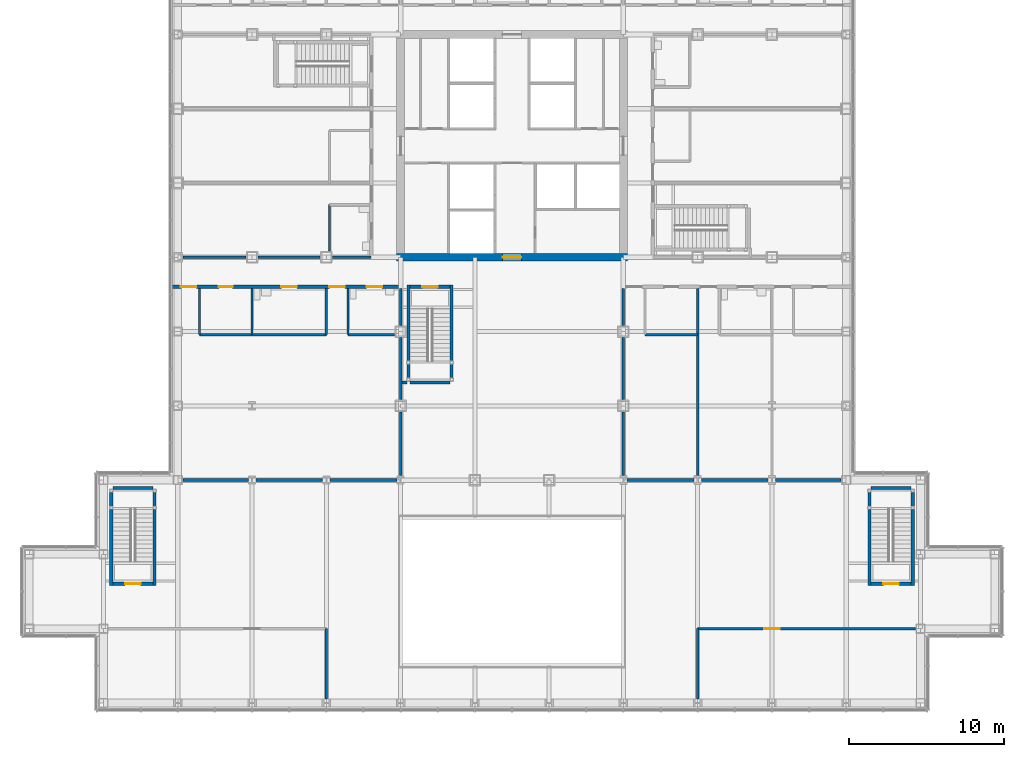
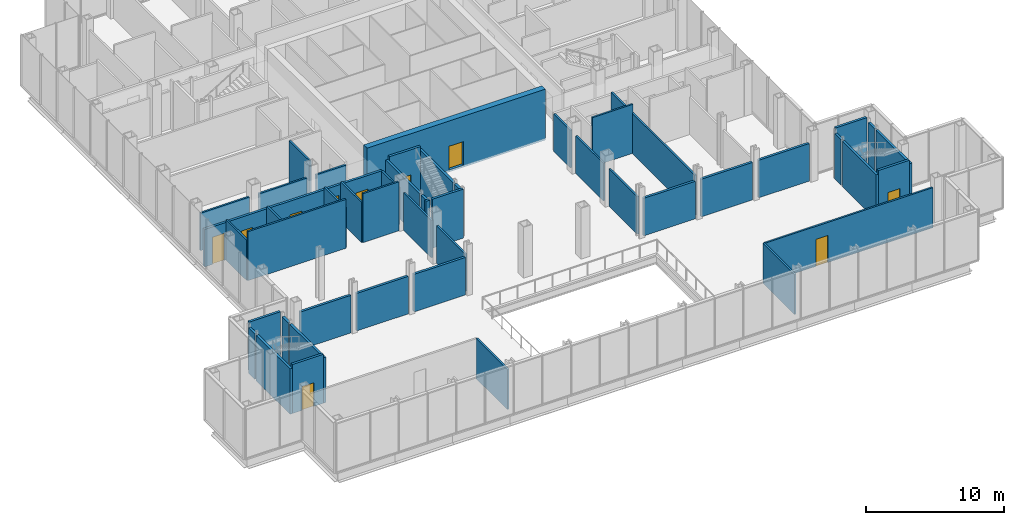
# One storey, part 20 of 26: 48 walls, 10 doors, 10 openings.
"""IFC4 building model written with IfcOpenShell, lengths in metres."""

from ifc_helpers import new_model, si_unit, direction, frame, frame_2d, origin, place, context, subcontext, project, spatial, rectangle, extrude, material, layer, layer_set, type_object, element, fill, save


model = new_model("IFC4")

# Units and contexts
model_context = context("Model", 3, precision=1e-05, world=origin(), true_north=direction((0.0, 1.0)))
body_context = subcontext(model_context, "Body", "Model", "MODEL_VIEW")
ifc_project = project(units=[si_unit("LENGTHUNIT", "METRE"), si_unit("AREAUNIT", "SQUARE_METRE"), si_unit("VOLUMEUNIT", "CUBIC_METRE"), si_unit("PLANEANGLEUNIT", "RADIAN"), si_unit("MASSUNIT", "GRAM", prefix="KILO")], contexts=[model_context])

# Site, building, storey
site_placement = place(None, origin())
site = spatial("IfcSite", under=ifc_project, at=site_placement, CompositionType="ELEMENT")
building_placement = place(site_placement, origin())
building = spatial("IfcBuilding", under=site, at=building_placement, Name="Kvirike Care Tower", CompositionType="ELEMENT")
storey_placement = place(building_placement, frame((0.0, 0.0, 18.0)))
storey = spatial("IfcBuildingStorey", under=building, at=storey_placement, Name="L04", CompositionType="ELEMENT", Elevation=18.0)

# Walls
ifc_material_1 = material(Name="Plasterboard partition", Category="gypsum")
ifc_layer_1 = layer(ifc_material_1, 0.14990234375)
ifc_layer_set_1 = layer_set([ifc_layer_1], Name="CLINIC PARTITION 150")
wall_type_1 = type_object("IfcWallType", Name="CLINIC PARTITION 150", PredefinedType="PARTITIONING", material=ifc_layer_set_1)
for number, where, z_axis, x_axis, name in (
    (1, (9.60009765625, 23.800048828125, 0.0), (0.0, 0.0, 1.0), (0.0, 1.0, 0.0), "Clinic Partition 150 L04"),
    (2, (1.39990234375, 23.800048828125, 0.0), (0.0, 0.0, 1.0), (0.0, 1.0, 0.0), "Clinic Partition 150 L04"),
):
    element("IfcWall", number, at=place(storey_placement, frame(where, z_axis=z_axis, x_axis=x_axis)), inside=storey, type_object=wall_type_1, Name=name, PredefinedType="PARTITIONING", context=body_context, shape_type="SweptSolid", body=[
        extrude(rectangle(XDim=3.0, YDim=0.14990234375, at=frame_2d((1.5, 0.0))), origin(), (0.0, 0.0, 1.0), 3.550048828125),
    ])
wall_1_placement = place(storey_placement, frame((1.39990234375, 23.800048828125, 0.0), z_axis=(0.0, 0.0, 1.0), x_axis=(1.0, 0.0, 0.0)))
element("IfcWall", 3, at=wall_1_placement, inside=storey, type_object=wall_type_1, Name="Clinic Partition 150 L04", PredefinedType="PARTITIONING", context=body_context, shape_type="SweptSolid", body=[
    extrude(rectangle(XDim=8.2001953125, YDim=0.14990234375, at=frame_2d((4.10009765625, 0.0))), origin(), (0.0, 0.0, 1.0), 4.330078125),
])
for number, where, z_axis, x_axis, name in (
    (4, (4.800048828125, 23.800048828125, 0.0), (0.0, 0.0, 1.0), (0.0, 1.0, 0.0), "Clinic Partition 150 L04"),
    (5, (11.0, 23.800048828125, 0.0), (0.0, 0.0, 1.0), (0.0, 1.0, 0.0), "Clinic Partition 150 L04"),
):
    element("IfcWall", number, at=place(storey_placement, frame(where, z_axis=z_axis, x_axis=x_axis)), inside=storey, type_object=wall_type_1, Name=name, PredefinedType="PARTITIONING", context=body_context, shape_type="SweptSolid", body=[
        extrude(rectangle(XDim=3.0, YDim=0.14990234375, at=frame_2d((1.5, 0.0))), origin(), (0.0, 0.0, 1.0), 3.550048828125),
    ])
for number, where, z_axis, x_axis, name in (
    (6, (11.0, 23.800048828125, 0.0), (0.0, 0.0, 1.0), (1.0, 0.0, 0.0), "Clinic Partition 150 L04"),
    (7, (9.800048828125, 32.199951171875, 0.0), (0.0, 0.0, 1.0), (0.0, -1.0, 0.0), "Clinic Partition 150 L04"),
):
    element("IfcWall", number, at=place(storey_placement, frame(where, z_axis=z_axis, x_axis=x_axis)), inside=storey, type_object=wall_type_1, Name=name, PredefinedType="PARTITIONING", context=body_context, shape_type="SweptSolid", body=[
        extrude(rectangle(XDim=3.0048828125, YDim=0.14990234375, at=frame_2d((1.50244140625, 0.0))), origin(), (0.0, 0.0, 1.0), 4.330078125),
    ])
wall_2_placement = place(storey_placement, frame((30.199951171875, 23.800048828125, 0.0), z_axis=(0.0, 0.0, 1.0), x_axis=(1.0, 0.0, 0.0)))
element("IfcWall", 8, at=wall_2_placement, inside=storey, type_object=wall_type_1, Name="Clinic Partition 150 L04", PredefinedType="PARTITIONING", context=body_context, shape_type="SweptSolid", body=[
    extrude(rectangle(XDim=3.400146484375, YDim=0.14990234375, at=frame_2d((1.7001953125, 0.0))), origin(), (0.0, 0.0, 1.0), 4.330078125),
])
wall_3_placement = place(storey_placement, frame((33.60009765625, 14.70458984375, 0.0), z_axis=(0.0, 0.0, 1.0), x_axis=(0.0, 1.0, 0.0)))
element("IfcWall", 9, at=wall_3_placement, inside=storey, type_object=wall_type_1, Name="Clinic Partition 150 L04", PredefinedType="PARTITIONING", context=body_context, shape_type="SweptSolid", body=[
    extrude(rectangle(XDim=12.095458984375, YDim=0.14990234375, at=frame_2d((6.0478515625, 0.0))), origin(), (0.0, 0.0, 1.0), 3.550048828125),
])

# Wall, opening, door
wall_4_placement = place(storey_placement, frame((33.60009765625, 4.800048828125, 0.0), z_axis=(0.0, 0.0, 1.0), x_axis=(1.0, 0.0, 0.0)))
wall_4 = element("IfcWall", 10, at=wall_4_placement, inside=storey, type_object=wall_type_1, Name="Clinic Partition 150 L04", PredefinedType="PARTITIONING", context=body_context, shape_type="SweptSolid", body=[
    extrude(rectangle(XDim=14.079833984375, YDim=0.14990234375, at=frame_2d((7.0400390625, 0.0))), origin(), (0.0, 0.0, 1.0), 3.550048828125),
])
opening_1_placement = place(wall_4_placement, frame((4.300048828125, 0.0, 0.0)))
opening_1 = element("IfcOpeningElement", 11, at=opening_1_placement, cuts=wall_4, Name="Opening 04-046", PredefinedType="OPENING", context=body_context, shape_type="SweptSolid", body=[
    extrude(rectangle(XDim=1.0, YDim=2.39990234375, at=frame_2d((0.5, 1.199951171875))), frame((0.0, 0.08544921875, 0.0), z_axis=(0.0, -1.0, 0.0), x_axis=(1.0, 0.0, 0.0)), (0.0, 0.0, 1.0), 0.1708984375),
])
ifc_material_2 = material(Name="Timber door set", Category="wood")
door_type_1 = type_object("IfcDoorType", Name="CONSULTING ROOM DOOR 1000", OperationType="SINGLE_SWING_LEFT", PredefinedType="DOOR", material=ifc_material_2)
door_1_placement = place(opening_1_placement, frame((1.0, 0.0, 0.0), z_axis=(0.0, 0.0, 1.0), x_axis=(-1.0, 0.0, 0.0)))
door_1 = element("IfcDoor", 12, at=door_1_placement, inside=storey, type_object=door_type_1, Name="Room door", OperationType="SINGLE_SWING_LEFT", OverallHeight=2.39990234375, OverallWidth=1.0, PredefinedType="DOOR", context=body_context, shape_type="SweptSolid", body=[
    extrude(rectangle(XDim=1.0, YDim=2.39990234375, at=frame_2d((0.5, 1.199951171875))), frame((0.0, 0.02685546875, 0.0), z_axis=(0.0, -1.0, 0.0), x_axis=(1.0, 0.0, 0.0)), (0.0, 0.0, 1.0), 0.053955078125),
])
fill(opening_1, door_1)

# Walls
for number, where, z_axis, x_axis, name in (
    (13, (9.60009765625, 0.243896484375, 0.0), (0.0, 0.0, 1.0), (0.0, 1.0, 0.0), "Clinic Partition 150 L04"),
    (14, (33.60009765625, 0.243896484375, 0.0), (0.0, 0.0, 1.0), (0.0, 1.0, 0.0), "Clinic Partition 150 L04"),
):
    element("IfcWall", number, at=place(storey_placement, frame(where, z_axis=z_axis, x_axis=x_axis)), inside=storey, type_object=wall_type_1, Name=name, PredefinedType="PARTITIONING", context=body_context, shape_type="SweptSolid", body=[
        extrude(rectangle(XDim=4.55615234375, YDim=0.14990234375, at=frame_2d((2.278076171875, 0.0))), origin(), (0.0, 0.0, 1.0), 3.550048828125),
    ])
wall_5_placement = place(storey_placement, frame((12.5, 28.800048828125, 0.0), z_axis=(0.0, 0.0, 1.0), x_axis=(-1.0, 0.0, 0.0)))
element("IfcWall", 15, at=wall_5_placement, inside=storey, type_object=wall_type_1, Name="Clinic Partition 150 L04", PredefinedType="PARTITIONING", context=body_context, shape_type="SweptSolid", body=[
    extrude(rectangle(XDim=2.5048828125, YDim=0.14990234375, at=frame_2d((1.25244140625, 0.0))), origin(), (0.0, 0.0, 1.0), 3.320068359375),
])
wall_6_placement = place(storey_placement, frame((9.205078125, 28.800048828125, 0.0), z_axis=(0.0, 0.0, 1.0), x_axis=(-1.0, 0.0, 0.0)))
element("IfcWall", 16, at=wall_6_placement, inside=storey, type_object=wall_type_1, Name="Clinic Partition 150 L04", PredefinedType="PARTITIONING", context=body_context, shape_type="SweptSolid", body=[
    extrude(rectangle(XDim=4.010009765625, YDim=0.14990234375, at=frame_2d((2.0048828125, 0.0))), origin(), (0.0, 0.0, 1.0), 3.320068359375),
])
wall_7_placement = place(storey_placement, frame((4.405029296875, 28.800048828125, 0.0), z_axis=(0.0, 0.0, 1.0), x_axis=(-1.0, 0.0, 0.0)))
element("IfcWall", 17, at=wall_7_placement, inside=storey, type_object=wall_type_1, Name="Clinic Partition 150 L04", PredefinedType="PARTITIONING", context=body_context, shape_type="SweptSolid", body=[
    extrude(rectangle(XDim=4.0849609375, YDim=0.14990234375, at=frame_2d((2.04248046875, 0.0))), origin(), (0.0, 0.0, 1.0), 3.320068359375),
])
wall_8_placement = place(storey_placement, frame((14.39990234375, 14.685546875, 0.0), z_axis=(0.0, 0.0, 1.0), x_axis=(0.0, 1.0, 0.0)))
element("IfcWall", 18, at=wall_8_placement, inside=storey, type_object=wall_type_1, Name="Clinic Partition 150 L04", PredefinedType="PARTITIONING", context=body_context, shape_type="SweptSolid", body=[
    extrude(rectangle(XDim=4.119384765625, YDim=0.14990234375, at=frame_2d((2.0595703125, 0.0))), origin(), (0.0, 0.0, 1.0), 3.320068359375),
])
wall_9_placement = place(storey_placement, frame((14.39990234375, 19.594970703125, 0.0), z_axis=(0.0, 0.0, 1.0), x_axis=(0.0, 1.0, 0.0)))
element("IfcWall", 19, at=wall_9_placement, inside=storey, type_object=wall_type_1, Name="Clinic Partition 150 L04", PredefinedType="PARTITIONING", context=body_context, shape_type="SweptSolid", body=[
    extrude(rectangle(XDim=4.010009765625, YDim=0.14990234375, at=frame_2d((2.0048828125, 0.0))), origin(), (0.0, 0.0, 1.0), 3.320068359375),
])
wall_10_placement = place(storey_placement, frame((14.39990234375, 24.39501953125, 0.0), z_axis=(0.0, 0.0, 1.0), x_axis=(0.0, 1.0, 0.0)))
element("IfcWall", 20, at=wall_10_placement, inside=storey, type_object=wall_type_1, Name="Clinic Partition 150 L04", PredefinedType="PARTITIONING", context=body_context, shape_type="SweptSolid", body=[
    extrude(rectangle(XDim=2.405029296875, YDim=0.14990234375, at=frame_2d((1.20263671875, 0.0))), origin(), (0.0, 0.0, 1.0), 3.320068359375),
])
wall_11_placement = place(storey_placement, frame((28.800048828125, 14.70458984375, 0.0), z_axis=(0.0, 0.0, 1.0), x_axis=(0.0, 1.0, 0.0)))
element("IfcWall", 21, at=wall_11_placement, inside=storey, type_object=wall_type_1, Name="Clinic Partition 150 L04", PredefinedType="PARTITIONING", context=body_context, shape_type="SweptSolid", body=[
    extrude(rectangle(XDim=4.100341796875, YDim=0.14990234375, at=frame_2d((2.05029296875, 0.0))), origin(), (0.0, 0.0, 1.0), 3.320068359375),
])
wall_12_placement = place(storey_placement, frame((28.800048828125, 19.594970703125, 0.0), z_axis=(0.0, 0.0, 1.0), x_axis=(0.0, 1.0, 0.0)))
element("IfcWall", 22, at=wall_12_placement, inside=storey, type_object=wall_type_1, Name="Clinic Partition 150 L04", PredefinedType="PARTITIONING", context=body_context, shape_type="SweptSolid", body=[
    extrude(rectangle(XDim=4.010009765625, YDim=0.14990234375, at=frame_2d((2.0048828125, 0.0))), origin(), (0.0, 0.0, 1.0), 3.320068359375),
])
wall_13_placement = place(storey_placement, frame((28.800048828125, 24.39501953125, 0.0), z_axis=(0.0, 0.0, 1.0), x_axis=(0.0, 1.0, 0.0)))
element("IfcWall", 23, at=wall_13_placement, inside=storey, type_object=wall_type_1, Name="Clinic Partition 150 L04", PredefinedType="PARTITIONING", context=body_context, shape_type="SweptSolid", body=[
    extrude(rectangle(XDim=2.405029296875, YDim=0.14990234375, at=frame_2d((1.20263671875, 0.0))), origin(), (0.0, 0.0, 1.0), 3.320068359375),
])

# Wall, opening, door
ifc_material_3 = material(Name="Concrete C60/75", Category="concrete")
ifc_layer_2 = layer(ifc_material_3, 0.5)
ifc_layer_set_2 = layer_set([ifc_layer_2], Name="CORE WALL 500 C60-75")
wall_type_2 = type_object("IfcWallType", Name="CORE WALL 500 C60-75", PredefinedType="SHEAR", material=ifc_layer_set_2)
wall_14_placement = place(storey_placement, frame((14.14990234375, 28.800048828125, -0.169921875), z_axis=(0.0, 0.0, 1.0), x_axis=(1.0, 0.0, 0.0)))
wall_14 = element("IfcWall", 24, at=wall_14_placement, inside=storey, type_object=wall_type_2, Name="Core wall S L04", PredefinedType="SHEAR", context=body_context, shape_type="SweptSolid", body=[
    extrude(rectangle(XDim=14.900146484375, YDim=0.5, at=frame_2d((7.4501953125, 0.0))), origin(), (0.0, 0.0, 1.0), 4.5),
])
opening_2_placement = place(wall_14_placement, frame((6.85009765625, 0.0, 0.169921875)))
opening_2 = element("IfcOpeningElement", 25, at=opening_2_placement, cuts=wall_14, Name="Opening 04-058", PredefinedType="OPENING", context=body_context, shape_type="SweptSolid", body=[
    extrude(rectangle(XDim=1.199951171875, YDim=2.10009765625, at=frame_2d((0.60009765625, 1.050048828125))), frame((0.0, 0.260498046875, 0.0), z_axis=(0.0, -1.0, 0.0), x_axis=(1.0, 0.0, 0.0)), (0.0, 0.0, 1.0), 0.52099609375),
])
ifc_material_4 = material(Name="Timber door set", Category="wood")
door_type_2 = type_object("IfcDoorType", Name="CORE DOOR 1200", OperationType="SINGLE_SWING_LEFT", PredefinedType="DOOR", material=ifc_material_4)
door_2_placement = place(opening_2_placement, origin())
door_2 = element("IfcDoor", 26, at=door_2_placement, inside=storey, type_object=door_type_2, Name="Core door S L04", OperationType="SINGLE_SWING_LEFT", OverallHeight=2.10009765625, OverallWidth=1.199951171875, PredefinedType="DOOR", context=body_context, shape_type="SweptSolid", body=[
    extrude(rectangle(XDim=1.199951171875, YDim=2.10009765625, at=frame_2d((0.60009765625, 1.050048828125))), frame((0.0, 0.02685546875, 0.0), z_axis=(0.0, -1.0, 0.0), x_axis=(1.0, 0.0, 0.0)), (0.0, 0.0, 1.0), 0.053955078125),
])
fill(opening_2, door_2)

# Wall, openings, doors
ifc_material_5 = material(Name="Plasterboard corridor wall", Category="gypsum")
ifc_layer_3 = layer(ifc_material_5, 0.199951171875)
ifc_layer_set_3 = layer_set([ifc_layer_3], Name="CORRIDOR WALL 200")
wall_type_3 = type_object("IfcWallType", Name="CORRIDOR WALL 200", PredefinedType="PARTITIONING", material=ifc_layer_set_3)
wall_15_placement = place(storey_placement, frame((-0.455078125, 26.89990234375, 0.0), z_axis=(0.0, 0.0, 1.0), x_axis=(1.0, 0.0, 0.0)))
wall_15 = element("IfcWall", 27, at=wall_15_placement, inside=storey, type_object=wall_type_3, Name="Corridor Wall 200 L04", PredefinedType="PARTITIONING", context=body_context, shape_type="SweptSolid", body=[
    extrude(rectangle(XDim=14.85498046875, YDim=0.199951171875, at=frame_2d((7.427490234375, 0.0))), origin(), (0.0, 0.0, 1.0), 3.320068359375),
])
opening_3_placement = place(wall_15_placement, frame((0.655029296875, 0.0, 0.0)))
opening_3 = element("IfcOpeningElement", 28, at=opening_3_placement, cuts=wall_15, Name="Opening 04-001", PredefinedType="OPENING", context=body_context, shape_type="SweptSolid", body=[
    extrude(rectangle(XDim=1.0, YDim=2.39990234375, at=frame_2d((0.5, 1.199951171875))), frame((0.0, 0.110595703125, 0.0), z_axis=(0.0, -1.0, 0.0), x_axis=(1.0, 0.0, 0.0)), (0.0, 0.0, 1.0), 0.220947265625),
])
opening_4_placement = place(wall_15_placement, frame((10.2548828125, 0.0, 0.0)))
opening_4 = element("IfcOpeningElement", 29, at=opening_4_placement, cuts=wall_15, Name="Opening 04-002", PredefinedType="OPENING", context=body_context, shape_type="SweptSolid", body=[
    extrude(rectangle(XDim=1.0, YDim=2.39990234375, at=frame_2d((0.5, 1.199951171875))), frame((0.0, 0.110595703125, 0.0), z_axis=(0.0, -1.0, 0.0), x_axis=(1.0, 0.0, 0.0)), (0.0, 0.0, 1.0), 0.220947265625),
])
opening_5_placement = place(wall_15_placement, frame((3.10498046875, 0.0, 0.0)))
opening_5 = element("IfcOpeningElement", 30, at=opening_5_placement, cuts=wall_15, Name="Opening 04-003", PredefinedType="OPENING", context=body_context, shape_type="SweptSolid", body=[
    extrude(rectangle(XDim=0.89990234375, YDim=2.10009765625, at=frame_2d((0.449951171875, 1.050048828125))), frame((0.0, 0.110595703125, 0.0), z_axis=(0.0, -1.0, 0.0), x_axis=(1.0, 0.0, 0.0)), (0.0, 0.0, 1.0), 0.220947265625),
])
opening_6_placement = place(wall_15_placement, frame((7.155029296875, 0.0, 0.0)))
opening_6 = element("IfcOpeningElement", 31, at=opening_6_placement, cuts=wall_15, Name="Opening 04-004", PredefinedType="OPENING", context=body_context, shape_type="SweptSolid", body=[
    extrude(rectangle(XDim=1.0, YDim=2.10009765625, at=frame_2d((0.5, 1.050048828125))), frame((0.0, 0.110595703125, 0.0), z_axis=(0.0, -1.0, 0.0), x_axis=(1.0, 0.0, 0.0)), (0.0, 0.0, 1.0), 0.220947265625),
])
opening_7_placement = place(wall_15_placement, frame((12.655029296875, 0.0, 0.0)))
opening_7 = element("IfcOpeningElement", 32, at=opening_7_placement, cuts=wall_15, Name="Opening 04-005", PredefinedType="OPENING", context=body_context, shape_type="SweptSolid", body=[
    extrude(rectangle(XDim=1.0, YDim=2.10009765625, at=frame_2d((0.5, 1.050048828125))), frame((0.0, 0.110595703125, 0.0), z_axis=(0.0, -1.0, 0.0), x_axis=(1.0, 0.0, 0.0)), (0.0, 0.0, 1.0), 0.220947265625),
])
door_3_placement = place(opening_3_placement, frame((1.0, 0.0, 0.0), z_axis=(0.0, 0.0, 1.0), x_axis=(-1.0, 0.0, 0.0)))
door_3 = element("IfcDoor", 33, at=door_3_placement, inside=storey, type_object=door_type_1, Name="Day centre lounge door", OperationType="SINGLE_SWING_RIGHT", OverallHeight=2.39990234375, OverallWidth=1.0, PredefinedType="DOOR", context=body_context, shape_type="SweptSolid", body=[
    extrude(rectangle(XDim=1.0, YDim=2.39990234375, at=frame_2d((0.5, 1.199951171875))), frame((0.0, 0.02685546875, 0.0), z_axis=(0.0, -1.0, 0.0), x_axis=(1.0, 0.0, 0.0)), (0.0, 0.0, 1.0), 0.053955078125),
])
fill(opening_3, door_3)
door_4_placement = place(opening_4_placement, frame((1.0, 0.0, 0.0), z_axis=(0.0, 0.0, 1.0), x_axis=(-1.0, 0.0, 0.0)))
door_4 = element("IfcDoor", 34, at=door_4_placement, inside=storey, type_object=door_type_1, Name="Day centre lounge door", OperationType="SINGLE_SWING_RIGHT", OverallHeight=2.39990234375, OverallWidth=1.0, PredefinedType="DOOR", context=body_context, shape_type="SweptSolid", body=[
    extrude(rectangle(XDim=1.0, YDim=2.39990234375, at=frame_2d((0.5, 1.199951171875))), frame((0.0, 0.02685546875, 0.0), z_axis=(0.0, -1.0, 0.0), x_axis=(1.0, 0.0, 0.0)), (0.0, 0.0, 1.0), 0.053955078125),
])
fill(opening_4, door_4)
ifc_material_6 = material(Name="Timber door set", Category="wood")
door_type_3 = type_object("IfcDoorType", Name="STORE DOOR 900", OperationType="SINGLE_SWING_LEFT", PredefinedType="DOOR", material=ifc_material_6)
door_5_placement = place(opening_5_placement, frame((0.89990234375, 0.0, 0.0), z_axis=(0.0, 0.0, 1.0), x_axis=(-1.0, 0.0, 0.0)))
door_5 = element("IfcDoor", 35, at=door_5_placement, inside=storey, type_object=door_type_3, Name="Store door", OperationType="SINGLE_SWING_RIGHT", OverallHeight=2.10009765625, OverallWidth=0.89990234375, PredefinedType="DOOR", context=body_context, shape_type="SweptSolid", body=[
    extrude(rectangle(XDim=0.89990234375, YDim=2.10009765625, at=frame_2d((0.449951171875, 1.050048828125))), frame((0.0, 0.02685546875, 0.0), z_axis=(0.0, -1.0, 0.0), x_axis=(1.0, 0.0, 0.0)), (0.0, 0.0, 1.0), 0.053955078125),
])
fill(opening_5, door_5)
ifc_material_7 = material(Name="Timber door set", Category="wood")
door_type_4 = type_object("IfcDoorType", Name="WC DOOR 1000", OperationType="SINGLE_SWING_LEFT", PredefinedType="DOOR", material=ifc_material_7)
door_6_placement = place(opening_6_placement, frame((1.0, 0.0, 0.0), z_axis=(0.0, 0.0, 1.0), x_axis=(-1.0, 0.0, 0.0)))
door_6 = element("IfcDoor", 36, at=door_6_placement, inside=storey, type_object=door_type_4, Name="Accessible WC door", OperationType="SINGLE_SWING_RIGHT", OverallHeight=2.10009765625, OverallWidth=1.0, PredefinedType="DOOR", context=body_context, shape_type="SweptSolid", body=[
    extrude(rectangle(XDim=1.0, YDim=2.10009765625, at=frame_2d((0.5, 1.050048828125))), frame((0.0, 0.02685546875, 0.0), z_axis=(0.0, -1.0, 0.0), x_axis=(1.0, 0.0, 0.0)), (0.0, 0.0, 1.0), 0.053955078125),
])
fill(opening_6, door_6)
door_7_placement = place(opening_7_placement, frame((1.0, 0.0, 0.0), z_axis=(0.0, 0.0, 1.0), x_axis=(-1.0, 0.0, 0.0)))
door_7 = element("IfcDoor", 37, at=door_7_placement, inside=storey, type_object=door_type_4, Name="Staff WC door", OperationType="SINGLE_SWING_LEFT", OverallHeight=2.10009765625, OverallWidth=1.0, PredefinedType="DOOR", context=body_context, shape_type="SweptSolid", body=[
    extrude(rectangle(XDim=1.0, YDim=2.10009765625, at=frame_2d((0.5, 1.050048828125))), frame((0.0, 0.02685546875, 0.0), z_axis=(0.0, -1.0, 0.0), x_axis=(1.0, 0.0, 0.0)), (0.0, 0.0, 1.0), 0.053955078125),
])
fill(opening_7, door_7)

# Walls
ifc_material_8 = material(Name="Plasterboard party wall", Category="gypsum")
ifc_layer_4 = layer(ifc_material_8, 0.199951171875)
ifc_layer_set_4 = layer_set([ifc_layer_4], Name="PARTY WALL 200")
wall_type_4 = type_object("IfcWallType", Name="PARTY WALL 200", PredefinedType="PARTITIONING", material=ifc_layer_set_4)
wall_16_placement = place(storey_placement, frame((0.320068359375, 14.39990234375, 0.0), z_axis=(0.0, 0.0, 1.0), x_axis=(1.0, 0.0, 0.0)))
element("IfcWall", 38, at=wall_16_placement, inside=storey, type_object=wall_type_4, Name="Party Wall 200 L04", PredefinedType="PARTITIONING", context=body_context, shape_type="SweptSolid", body=[
    extrude(rectangle(XDim=4.239013671875, YDim=0.199951171875, at=frame_2d((2.11962890625, 0.0))), origin(), (0.0, 0.0, 1.0), 3.320068359375),
])
for number, where, z_axis, x_axis, name in (
    (39, (5.041015625, 14.39990234375, 0.0), (0.0, 0.0, 1.0), (1.0, 0.0, 0.0), "Party Wall 200 L04"),
    (40, (9.841064453125, 14.39990234375, 0.0), (0.0, 0.0, 1.0), (1.0, 0.0, 0.0), "Party Wall 200 L04"),
):
    element("IfcWall", number, at=place(storey_placement, frame(where, z_axis=z_axis, x_axis=x_axis)), inside=storey, type_object=wall_type_4, Name=name, PredefinedType="PARTITIONING", context=body_context, shape_type="SweptSolid", body=[
        extrude(rectangle(XDim=4.31787109375, YDim=0.199951171875, at=frame_2d((2.158935546875, 0.0))), origin(), (0.0, 0.0, 1.0), 3.320068359375),
    ])
wall_17_placement = place(storey_placement, frame((29.047119140625, 14.39990234375, 0.0), z_axis=(0.0, 0.0, 1.0), x_axis=(1.0, 0.0, 0.0)))
element("IfcWall", 41, at=wall_17_placement, inside=storey, type_object=wall_type_4, Name="Party Wall 200 L04", PredefinedType="PARTITIONING", context=body_context, shape_type="SweptSolid", body=[
    extrude(rectangle(XDim=4.305908203125, YDim=0.199951171875, at=frame_2d((2.15283203125, 0.0))), origin(), (0.0, 0.0, 1.0), 3.320068359375),
])
wall_18_placement = place(storey_placement, frame((33.846923828125, 14.39990234375, 0.0), z_axis=(0.0, 0.0, 1.0), x_axis=(1.0, 0.0, 0.0)))
element("IfcWall", 42, at=wall_18_placement, inside=storey, type_object=wall_type_4, Name="Party Wall 200 L04", PredefinedType="PARTITIONING", context=body_context, shape_type="SweptSolid", body=[
    extrude(rectangle(XDim=4.30615234375, YDim=0.199951171875, at=frame_2d((2.153076171875, 0.0))), origin(), (0.0, 0.0, 1.0), 3.320068359375),
])
wall_19_placement = place(storey_placement, frame((38.64697265625, 14.39990234375, 0.0), z_axis=(0.0, 0.0, 1.0), x_axis=(1.0, 0.0, 0.0)))
element("IfcWall", 43, at=wall_19_placement, inside=storey, type_object=wall_type_4, Name="Party Wall 200 L04", PredefinedType="PARTITIONING", context=body_context, shape_type="SweptSolid", body=[
    extrude(rectangle(XDim=4.23291015625, YDim=0.199951171875, at=frame_2d((2.116455078125, 0.0))), origin(), (0.0, 0.0, 1.0), 3.320068359375),
])
ifc_material_9 = material(Name="Concrete C40/50", Category="concrete")
ifc_layer_5 = layer(ifc_material_9, 0.199951171875)
ifc_layer_set_5 = layer_set([ifc_layer_5], Name="STAIR WALL 200")
wall_type_5 = type_object("IfcWallType", Name="STAIR WALL 200", PredefinedType="SOLIDWALL", material=ifc_layer_set_5)
wall_20_placement = place(storey_placement, frame((14.89990234375, 21.0, 0.0), z_axis=(0.0, 0.0, 1.0), x_axis=(0.0, 1.0, 0.0)))
element("IfcWall", 44, at=wall_20_placement, inside=storey, type_object=wall_type_5, Name="Stair Wall 200 L04", PredefinedType="SOLIDWALL", context=body_context, shape_type="SweptSolid", body=[
    extrude(rectangle(XDim=0.89990234375, YDim=0.199951171875, at=frame_2d((0.449951171875, 0.0))), origin(), (0.0, 0.0, 1.0), 3.989990234375),
])
wall_21_placement = place(storey_placement, frame((14.89990234375, 22.10009765625, 0.0), z_axis=(0.0, 0.0, 1.0), x_axis=(0.0, 1.0, 0.0)))
element("IfcWall", 45, at=wall_21_placement, inside=storey, type_object=wall_type_5, Name="Stair Wall 200 L04", PredefinedType="SOLIDWALL", context=body_context, shape_type="SweptSolid", body=[
    extrude(rectangle(XDim=4.89990234375, YDim=0.199951171875, at=frame_2d((2.449951171875, 0.0))), origin(), (0.0, 0.0, 1.0), 3.989990234375),
])
wall_22_placement = place(storey_placement, frame((17.699951171875, 21.0, 0.0), z_axis=(0.0, 0.0, 1.0), x_axis=(0.0, 1.0, 0.0)))
element("IfcWall", 46, at=wall_22_placement, inside=storey, type_object=wall_type_5, Name="Stair Wall 200 L04", PredefinedType="SOLIDWALL", context=body_context, shape_type="SweptSolid", body=[
    extrude(rectangle(XDim=0.89990234375, YDim=0.199951171875, at=frame_2d((0.449951171875, 0.0))), origin(), (0.0, 0.0, 1.0), 3.989990234375),
])
wall_23_placement = place(storey_placement, frame((17.699951171875, 22.10009765625, 0.0), z_axis=(0.0, 0.0, 1.0), x_axis=(0.0, 1.0, 0.0)))
element("IfcWall", 47, at=wall_23_placement, inside=storey, type_object=wall_type_5, Name="Stair Wall 200 L04", PredefinedType="SOLIDWALL", context=body_context, shape_type="SweptSolid", body=[
    extrude(rectangle(XDim=4.89990234375, YDim=0.199951171875, at=frame_2d((2.449951171875, 0.0))), origin(), (0.0, 0.0, 1.0), 3.989990234375),
])
wall_24_placement = place(storey_placement, frame((14.47509765625, 20.699951171875, 0.0), z_axis=(0.0, 0.0, 1.0), x_axis=(1.0, 0.0, 0.0)))
element("IfcWall", 48, at=wall_24_placement, inside=storey, type_object=wall_type_5, Name="Stair Wall 200 L04", PredefinedType="SOLIDWALL", context=body_context, shape_type="SweptSolid", body=[
    extrude(rectangle(XDim=0.324951171875, YDim=0.199951171875, at=frame_2d((0.16259765625, 0.0))), origin(), (0.0, 0.0, 1.0), 4.330078125),
])
wall_25_placement = place(storey_placement, frame((15.0, 20.699951171875, 0.0), z_axis=(0.0, 0.0, 1.0), x_axis=(1.0, 0.0, 0.0)))
element("IfcWall", 49, at=wall_25_placement, inside=storey, type_object=wall_type_5, Name="Stair Wall 200 L04", PredefinedType="SOLIDWALL", context=body_context, shape_type="SweptSolid", body=[
    extrude(rectangle(XDim=2.60009765625, YDim=0.199951171875, at=frame_2d((1.300048828125, 0.0))), origin(), (0.0, 0.0, 1.0), 4.330078125),
])

# Wall, opening, door
wall_26_placement = place(storey_placement, frame((15.0, 26.89990234375, 0.0), z_axis=(0.0, 0.0, 1.0), x_axis=(1.0, 0.0, 0.0)))
wall_26 = element("IfcWall", 50, at=wall_26_placement, inside=storey, type_object=wall_type_5, Name="Stair Wall 200 L04", PredefinedType="SOLIDWALL", context=body_context, shape_type="SweptSolid", body=[
    extrude(rectangle(XDim=2.60009765625, YDim=0.199951171875, at=frame_2d((1.300048828125, 0.0))), origin(), (0.0, 0.0, 1.0), 4.330078125),
])
opening_8_placement = place(wall_26_placement, frame((0.800048828125, 0.0, 0.0)))
opening_8 = element("IfcOpeningElement", 51, at=opening_8_placement, cuts=wall_26, Name="Opening 04-018", PredefinedType="OPENING", context=body_context, shape_type="SweptSolid", body=[
    extrude(rectangle(XDim=1.0, YDim=2.10009765625, at=frame_2d((0.5, 1.050048828125))), frame((0.0, 0.110595703125, 0.0), z_axis=(0.0, -1.0, 0.0), x_axis=(1.0, 0.0, 0.0)), (0.0, 0.0, 1.0), 0.220947265625),
])
ifc_material_10 = material(Name="Timber door set", Category="wood")
door_type_5 = type_object("IfcDoorType", Name="STAIR DOOR 1000", OperationType="SINGLE_SWING_LEFT", PredefinedType="DOOR", material=ifc_material_10)
door_8_placement = place(opening_8_placement, frame((1.0, 0.0, 0.0), z_axis=(0.0, 0.0, 1.0), x_axis=(-1.0, 0.0, 0.0)))
door_8 = element("IfcDoor", 52, at=door_8_placement, inside=storey, type_object=door_type_5, Name="Stair 5 door", OperationType="SINGLE_SWING_RIGHT", OverallHeight=2.10009765625, OverallWidth=1.0, PredefinedType="DOOR", context=body_context, shape_type="SweptSolid", body=[
    extrude(rectangle(XDim=1.0, YDim=2.10009765625, at=frame_2d((0.5, 1.050048828125))), frame((0.0, 0.031982421875, 0.0), z_axis=(0.0, -1.0, 0.0), x_axis=(1.0, 0.0, 0.0)), (0.0, 0.0, 1.0), 0.06396484375),
])
fill(opening_8, door_8)

# Walls
wall_27_placement = place(storey_placement, frame((-4.300048828125, 13.60009765625, 0.0), z_axis=(0.0, 0.0, 1.0), x_axis=(0.0, -1.0, 0.0)))
element("IfcWall", 53, at=wall_27_placement, inside=storey, type_object=wall_type_5, Name="Stair Wall 200 L04", PredefinedType="SOLIDWALL", context=body_context, shape_type="SweptSolid", body=[
    extrude(rectangle(XDim=0.900146484375, YDim=0.199951171875, at=frame_2d((0.4501953125, 0.0))), origin(), (0.0, 0.0, 1.0), 4.02001953125),
])
wall_28_placement = place(storey_placement, frame((-4.300048828125, 12.5, 0.0), z_axis=(0.0, 0.0, 1.0), x_axis=(0.0, -1.0, 0.0)))
element("IfcWall", 54, at=wall_28_placement, inside=storey, type_object=wall_type_5, Name="Stair Wall 200 L04", PredefinedType="SOLIDWALL", context=body_context, shape_type="SweptSolid", body=[
    extrude(rectangle(XDim=4.89990234375, YDim=0.199951171875, at=frame_2d((2.449951171875, 0.0))), origin(), (0.0, 0.0, 1.0), 4.02001953125),
])
wall_29_placement = place(storey_placement, frame((-1.5, 13.60009765625, 0.0), z_axis=(0.0, 0.0, 1.0), x_axis=(0.0, -1.0, 0.0)))
element("IfcWall", 55, at=wall_29_placement, inside=storey, type_object=wall_type_5, Name="Stair Wall 200 L04", PredefinedType="SOLIDWALL", context=body_context, shape_type="SweptSolid", body=[
    extrude(rectangle(XDim=0.900146484375, YDim=0.199951171875, at=frame_2d((0.4501953125, 0.0))), origin(), (0.0, 0.0, 1.0), 4.02001953125),
])
wall_30_placement = place(storey_placement, frame((-1.5, 12.5, 0.0), z_axis=(0.0, 0.0, 1.0), x_axis=(0.0, -1.0, 0.0)))
element("IfcWall", 56, at=wall_30_placement, inside=storey, type_object=wall_type_5, Name="Stair Wall 200 L04", PredefinedType="SOLIDWALL", context=body_context, shape_type="SweptSolid", body=[
    extrude(rectangle(XDim=4.89990234375, YDim=0.199951171875, at=frame_2d((2.449951171875, 0.0))), origin(), (0.0, 0.0, 1.0), 4.02001953125),
])
wall_31_placement = place(storey_placement, frame((-4.199951171875, 13.89990234375, 0.0), z_axis=(0.0, 0.0, 1.0), x_axis=(1.0, 0.0, 0.0)))
element("IfcWall", 57, at=wall_31_placement, inside=storey, type_object=wall_type_5, Name="Stair Wall 200 L04", PredefinedType="SOLIDWALL", context=body_context, shape_type="SweptSolid", body=[
    extrude(rectangle(XDim=2.599853515625, YDim=0.199951171875, at=frame_2d((1.2998046875, 0.0))), origin(), (0.0, 0.0, 1.0), 4.330078125),
])

# Wall, opening, door
wall_32_placement = place(storey_placement, frame((-4.199951171875, 7.699951171875, 0.0), z_axis=(0.0, 0.0, 1.0), x_axis=(1.0, 0.0, 0.0)))
wall_32 = element("IfcWall", 58, at=wall_32_placement, inside=storey, type_object=wall_type_5, Name="Stair Wall 200 L04", PredefinedType="SOLIDWALL", context=body_context, shape_type="SweptSolid", body=[
    extrude(rectangle(XDim=2.599853515625, YDim=0.199951171875, at=frame_2d((1.2998046875, 0.0))), origin(), (0.0, 0.0, 1.0), 4.330078125),
])
opening_9_placement = place(wall_32_placement, frame((0.800048828125, 0.0, 0.0)))
opening_9 = element("IfcOpeningElement", 59, at=opening_9_placement, cuts=wall_32, Name="Opening 04-043", PredefinedType="OPENING", context=body_context, shape_type="SweptSolid", body=[
    extrude(rectangle(XDim=1.0, YDim=2.10009765625, at=frame_2d((0.5, 1.050048828125))), frame((0.0, 0.110595703125, 0.0), z_axis=(0.0, -1.0, 0.0), x_axis=(1.0, 0.0, 0.0)), (0.0, 0.0, 1.0), 0.220947265625),
])
door_9_placement = place(opening_9_placement, origin())
door_9 = element("IfcDoor", 60, at=door_9_placement, inside=storey, type_object=door_type_5, Name="Stair 3 door", OperationType="SINGLE_SWING_LEFT", OverallHeight=2.10009765625, OverallWidth=1.0, PredefinedType="DOOR", context=body_context, shape_type="SweptSolid", body=[
    extrude(rectangle(XDim=1.0, YDim=2.10009765625, at=frame_2d((0.5, 1.050048828125))), frame((0.0, 0.031982421875, 0.0), z_axis=(0.0, -1.0, 0.0), x_axis=(1.0, 0.0, 0.0)), (0.0, 0.0, 1.0), 0.06396484375),
])
fill(opening_9, door_9)

# Walls
wall_33_placement = place(storey_placement, frame((44.699951171875, 13.60009765625, 0.0), z_axis=(0.0, 0.0, 1.0), x_axis=(0.0, -1.0, 0.0)))
element("IfcWall", 61, at=wall_33_placement, inside=storey, type_object=wall_type_5, Name="Stair Wall 200 L04", PredefinedType="SOLIDWALL", context=body_context, shape_type="SweptSolid", body=[
    extrude(rectangle(XDim=0.900146484375, YDim=0.199951171875, at=frame_2d((0.4501953125, 0.0))), origin(), (0.0, 0.0, 1.0), 4.02001953125),
])
wall_34_placement = place(storey_placement, frame((44.699951171875, 12.5, 0.0), z_axis=(0.0, 0.0, 1.0), x_axis=(0.0, -1.0, 0.0)))
element("IfcWall", 62, at=wall_34_placement, inside=storey, type_object=wall_type_5, Name="Stair Wall 200 L04", PredefinedType="SOLIDWALL", context=body_context, shape_type="SweptSolid", body=[
    extrude(rectangle(XDim=4.89990234375, YDim=0.199951171875, at=frame_2d((2.449951171875, 0.0))), origin(), (0.0, 0.0, 1.0), 4.02001953125),
])
wall_35_placement = place(storey_placement, frame((47.5, 13.60009765625, 0.0), z_axis=(0.0, 0.0, 1.0), x_axis=(0.0, -1.0, 0.0)))
element("IfcWall", 63, at=wall_35_placement, inside=storey, type_object=wall_type_5, Name="Stair Wall 200 L04", PredefinedType="SOLIDWALL", context=body_context, shape_type="SweptSolid", body=[
    extrude(rectangle(XDim=0.900146484375, YDim=0.199951171875, at=frame_2d((0.4501953125, 0.0))), origin(), (0.0, 0.0, 1.0), 4.02001953125),
])
wall_36_placement = place(storey_placement, frame((47.5, 12.5, 0.0), z_axis=(0.0, 0.0, 1.0), x_axis=(0.0, -1.0, 0.0)))
element("IfcWall", 64, at=wall_36_placement, inside=storey, type_object=wall_type_5, Name="Stair Wall 200 L04", PredefinedType="SOLIDWALL", context=body_context, shape_type="SweptSolid", body=[
    extrude(rectangle(XDim=4.89990234375, YDim=0.199951171875, at=frame_2d((2.449951171875, 0.0))), origin(), (0.0, 0.0, 1.0), 4.02001953125),
])
wall_37_placement = place(storey_placement, frame((44.800048828125, 13.89990234375, 0.0), z_axis=(0.0, 0.0, 1.0), x_axis=(1.0, 0.0, 0.0)))
element("IfcWall", 65, at=wall_37_placement, inside=storey, type_object=wall_type_5, Name="Stair Wall 200 L04", PredefinedType="SOLIDWALL", context=body_context, shape_type="SweptSolid", body=[
    extrude(rectangle(XDim=2.599853515625, YDim=0.199951171875, at=frame_2d((1.2998046875, 0.0))), origin(), (0.0, 0.0, 1.0), 4.330078125),
])

# Wall, opening, door
wall_38_placement = place(storey_placement, frame((44.800048828125, 7.699951171875, 0.0), z_axis=(0.0, 0.0, 1.0), x_axis=(1.0, 0.0, 0.0)))
wall_38 = element("IfcWall", 66, at=wall_38_placement, inside=storey, type_object=wall_type_5, Name="Stair Wall 200 L04", PredefinedType="SOLIDWALL", context=body_context, shape_type="SweptSolid", body=[
    extrude(rectangle(XDim=2.599853515625, YDim=0.199951171875, at=frame_2d((1.2998046875, 0.0))), origin(), (0.0, 0.0, 1.0), 4.330078125),
])
opening_10_placement = place(wall_38_placement, frame((0.800048828125, 0.0, 0.0)))
opening_10 = element("IfcOpeningElement", 67, at=opening_10_placement, cuts=wall_38, Name="Opening 04-044", PredefinedType="OPENING", context=body_context, shape_type="SweptSolid", body=[
    extrude(rectangle(XDim=1.0, YDim=2.10009765625, at=frame_2d((0.5, 1.050048828125))), frame((0.0, 0.110595703125, 0.0), z_axis=(0.0, -1.0, 0.0), x_axis=(1.0, 0.0, 0.0)), (0.0, 0.0, 1.0), 0.220947265625),
])
door_10_placement = place(opening_10_placement, origin())
door_10 = element("IfcDoor", 68, at=door_10_placement, inside=storey, type_object=door_type_5, Name="Stair 4 door", OperationType="SINGLE_SWING_RIGHT", OverallHeight=2.10009765625, OverallWidth=1.0, PredefinedType="DOOR", context=body_context, shape_type="SweptSolid", body=[
    extrude(rectangle(XDim=1.0, YDim=2.10009765625, at=frame_2d((0.5, 1.050048828125))), frame((0.0, 0.031982421875, 0.0), z_axis=(0.0, -1.0, 0.0), x_axis=(1.0, 0.0, 0.0)), (0.0, 0.0, 1.0), 0.06396484375),
])
fill(opening_10, door_10)

save(model, "model.ifc")
